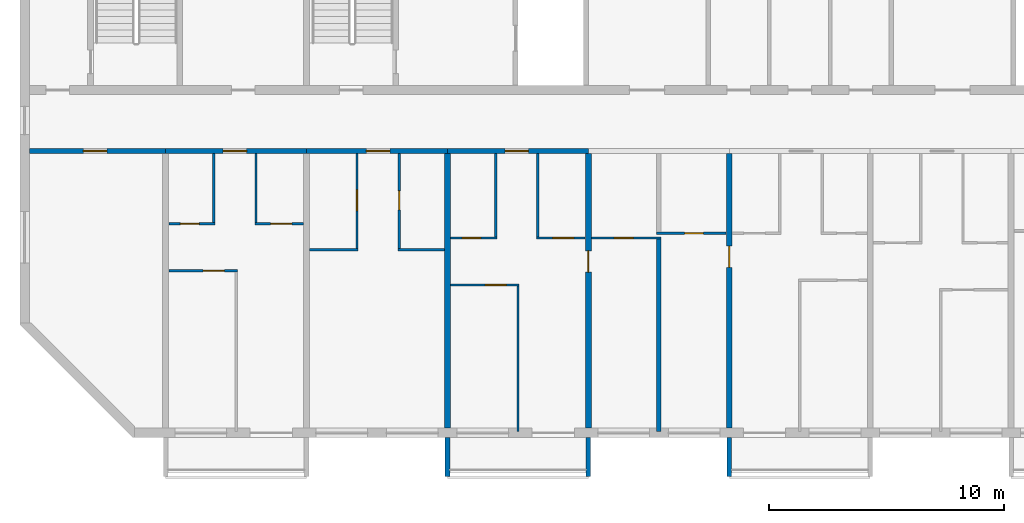
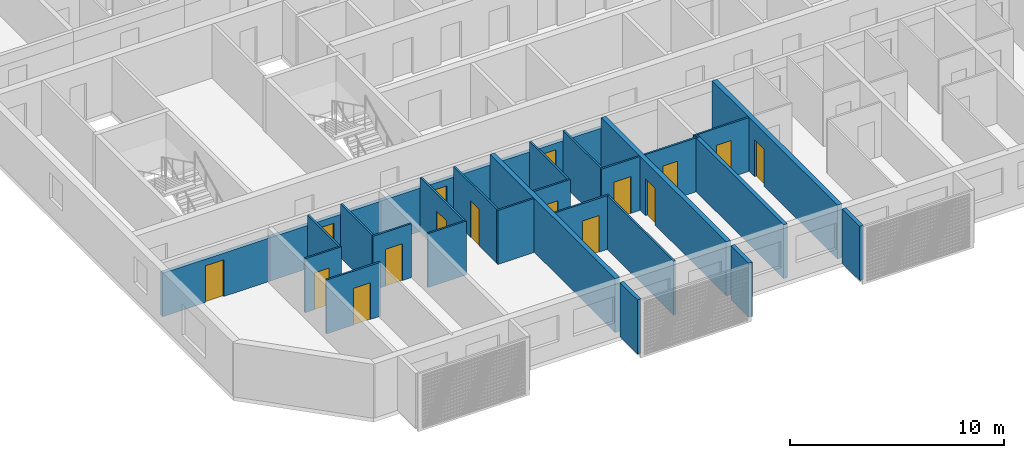
# One storey, part 2 of 27: 28 walls, 16 doors, 16 openings.
"""IFC4 building model written with IfcOpenShell, lengths in metres."""

from ifc_helpers import new_model, si_unit, direction, frame, frame_2d, origin, place, context, subcontext, project, spatial, polyline, rectangle, outline, extrude, source, transform, mapped, material, layer, layer_set, type_object, element, fill, save


model = new_model("IFC4")

# Units and contexts
model_context = context("Model", 3, precision=1e-05, world=origin(), true_north=direction((0.0, 1.0)))
body_context = subcontext(model_context, "Body", "Model", "MODEL_VIEW")
ifc_project = project(units=[si_unit("LENGTHUNIT", "METRE"), si_unit("AREAUNIT", "SQUARE_METRE"), si_unit("VOLUMEUNIT", "CUBIC_METRE"), si_unit("PLANEANGLEUNIT", "RADIAN"), si_unit("MASSUNIT", "GRAM", prefix="KILO")], contexts=[model_context])

# Site, building, storey
site_placement = place(None, origin())
site = spatial("IfcSite", under=ifc_project, at=site_placement, CompositionType="ELEMENT")
building_placement = place(site_placement, origin())
building = spatial("IfcBuilding", under=site, at=building_placement, Name="Poui Terraces", CompositionType="ELEMENT")
storey_placement = place(building_placement, frame((0.0, 0.0, 191.699951171875)))
storey = spatial("IfcBuildingStorey", under=building, at=storey_placement, Name="L53", CompositionType="ELEMENT", Elevation=191.699951171875)

# Wall, opening, door
ifc_material_1 = material(Name="Concrete 50 MPa", Category="concrete")
ifc_layer_1 = layer(ifc_material_1, 0.199951171875)
ifc_layer_set_1 = layer_set([ifc_layer_1], Name="Concrete 50 MPa")
wall_type_1 = type_object("IfcWallType", Name="CORRIDOR WALL 200 50MPa", PredefinedType="SHEAR", material=ifc_layer_set_1)
wall_1_placement = place(storey_placement, frame((18.199951171875, 12.0, 0.0), z_axis=(0.0, 0.0, 1.0), x_axis=(1.0, 0.0, 0.0)))
wall_1 = element("IfcWall", 1, at=wall_1_placement, inside=storey, type_object=wall_type_1, Name="CORRIDOR WALL LINE B BAY 1", PredefinedType="SHEAR", context=body_context, shape_type="SweptSolid", body=[
    extrude(rectangle(XDim=5.800048828125, YDim=0.199951171875, at=frame_2d((2.89990234375, 0.0))), origin(), (0.0, 0.0, 1.0), 2.47998046875),
])
opening_1_placement = place(wall_1_placement, frame((2.300048828125, 0.0, 0.0)))
opening_1 = element("IfcOpeningElement", 2, at=opening_1_placement, cuts=wall_1, Name="Opening D100", PredefinedType="OPENING", context=body_context, shape_type="SweptSolid", body=[
    extrude(rectangle(XDim=1.0, YDim=2.10009765625, at=frame_2d((0.5, 1.050048828125))), frame((0.0, 0.10986328125, 0.0), z_axis=(0.0, -1.0, 0.0), x_axis=(1.0, 0.0, 0.0)), (0.0, 0.0, 1.0), 0.219970703125),
])
ifc_material_2 = material(Name="Solid core timber door", Category="wood")
door_type_1 = type_object("IfcDoorType", Name="ACCESSIBLE INTERNAL DOOR 1000 X 2100", OperationType="NOTDEFINED", PredefinedType="DOOR", material=ifc_material_2)
door_1_placement = place(opening_1_placement, frame((1.0, 0.0, 0.0), z_axis=(0.0, 0.0, 1.0), x_axis=(-1.0, 0.0, 0.0)))
door_1 = element("IfcDoor", 3, at=door_1_placement, inside=storey, type_object=door_type_1, Name="ACCESSIBLE INTERNAL DOOR 063", OperationType="SINGLE_SWING_RIGHT", OverallHeight=2.10009765625, OverallWidth=1.0, PredefinedType="DOOR", context=body_context, shape_type="SweptSolid", body=[
    extrude(rectangle(XDim=1.0, YDim=2.10009765625, at=frame_2d((0.5, 1.050048828125))), frame((0.0, 0.02490234375, 0.0), z_axis=(0.0, -1.0, 0.0), x_axis=(1.0, 0.0, 0.0)), (0.0, 0.0, 1.0), 0.050048828125),
])
fill(opening_1, door_1)

wall_2_placement = place(storey_placement, frame((24.0, 12.0, 0.0), z_axis=(0.0, 0.0, 1.0), x_axis=(1.0, 0.0, 0.0)))
wall_2 = element("IfcWall", 4, at=wall_2_placement, inside=storey, type_object=wall_type_1, Name="CORRIDOR WALL LINE B BAY 2", PredefinedType="SHEAR", context=body_context, shape_type="SweptSolid", body=[
    extrude(rectangle(XDim=6.0, YDim=0.199951171875, at=frame_2d((3.0, 0.0))), origin(), (0.0, 0.0, 1.0), 2.47998046875),
])
opening_2_placement = place(wall_2_placement, frame((2.449951171875, 0.0, 0.0)))
opening_2 = element("IfcOpeningElement", 5, at=opening_2_placement, cuts=wall_2, Name="Opening FD30S", PredefinedType="OPENING", context=body_context, shape_type="SweptSolid", body=[
    extrude(rectangle(XDim=1.0, YDim=2.10009765625, at=frame_2d((0.5, 1.050048828125))), frame((0.0, 0.10986328125, 0.0), z_axis=(0.0, -1.0, 0.0), x_axis=(1.0, 0.0, 0.0)), (0.0, 0.0, 1.0), 0.219970703125),
])
ifc_material_3 = material(Name="Steel fire door", Category="steel")
door_type_2 = type_object("IfcDoorType", Name="FLAT ENTRANCE DOOR 1000 X 2100", OperationType="NOTDEFINED", PredefinedType="DOOR", material=ifc_material_3)
door_2_placement = place(opening_2_placement, frame((1.0, 0.0, 0.0), z_axis=(0.0, 0.0, 1.0), x_axis=(-1.0, 0.0, 0.0)))
door_2 = element("IfcDoor", 6, at=door_2_placement, inside=storey, type_object=door_type_2, Name="FLAT ENTRANCE DOOR 066", OperationType="SINGLE_SWING_RIGHT", OverallHeight=2.10009765625, OverallWidth=1.0, PredefinedType="DOOR", context=body_context, shape_type="SweptSolid", body=[
    extrude(rectangle(XDim=1.0, YDim=2.10009765625, at=frame_2d((0.5, 1.050048828125))), frame((0.0, 0.02490234375, 0.0), z_axis=(0.0, -1.0, 0.0), x_axis=(1.0, 0.0, 0.0)), (0.0, 0.0, 1.0), 0.050048828125),
])
fill(opening_2, door_2)

wall_3_placement = place(storey_placement, frame((30.0, 12.0, 0.0), z_axis=(0.0, 0.0, 1.0), x_axis=(1.0, 0.0, 0.0)))
wall_3 = element("IfcWall", 7, at=wall_3_placement, inside=storey, type_object=wall_type_1, Name="CORRIDOR WALL LINE B BAY 3", PredefinedType="SHEAR", context=body_context, shape_type="SweptSolid", body=[
    extrude(rectangle(XDim=6.0, YDim=0.199951171875, at=frame_2d((3.0, 0.0))), origin(), (0.0, 0.0, 1.0), 2.47998046875),
])
opening_3_placement = place(wall_3_placement, frame((2.550048828125, 0.0, 0.0)))
opening_3 = element("IfcOpeningElement", 8, at=opening_3_placement, cuts=wall_3, Name="Opening FD30S", PredefinedType="OPENING", context=body_context, shape_type="SweptSolid", body=[
    extrude(rectangle(XDim=1.0, YDim=2.10009765625, at=frame_2d((0.5, 1.050048828125))), frame((0.0, 0.10986328125, 0.0), z_axis=(0.0, -1.0, 0.0), x_axis=(1.0, 0.0, 0.0)), (0.0, 0.0, 1.0), 0.219970703125),
])
door_3_placement = place(opening_3_placement, frame((1.0, 0.0, 0.0), z_axis=(0.0, 0.0, 1.0), x_axis=(-1.0, 0.0, 0.0)))
door_3 = element("IfcDoor", 9, at=door_3_placement, inside=storey, type_object=door_type_2, Name="FLAT ENTRANCE DOOR 069", OperationType="SINGLE_SWING_LEFT", OverallHeight=2.10009765625, OverallWidth=1.0, PredefinedType="DOOR", context=body_context, shape_type="SweptSolid", body=[
    extrude(rectangle(XDim=1.0, YDim=2.10009765625, at=frame_2d((0.5, 1.050048828125))), frame((0.0, 0.02490234375, 0.0), z_axis=(0.0, -1.0, 0.0), x_axis=(1.0, 0.0, 0.0)), (0.0, 0.0, 1.0), 0.050048828125),
])
fill(opening_3, door_3)

wall_4_placement = place(storey_placement, frame((36.0, 12.0, 0.0), z_axis=(0.0, 0.0, 1.0), x_axis=(1.0, 0.0, 0.0)))
wall_4 = element("IfcWall", 10, at=wall_4_placement, inside=storey, type_object=wall_type_1, Name="CORRIDOR WALL LINE B BAY 4", PredefinedType="SHEAR", context=body_context, shape_type="SweptSolid", body=[
    extrude(rectangle(XDim=6.0, YDim=0.199951171875, at=frame_2d((3.0, 0.0))), origin(), (0.0, 0.0, 1.0), 2.47998046875),
])
opening_4_placement = place(wall_4_placement, frame((2.449951171875, 0.0, 0.0)))
opening_4 = element("IfcOpeningElement", 11, at=opening_4_placement, cuts=wall_4, Name="Opening FD30S", PredefinedType="OPENING", context=body_context, shape_type="SweptSolid", body=[
    extrude(rectangle(XDim=1.0, YDim=2.10009765625, at=frame_2d((0.5, 1.050048828125))), frame((0.0, 0.10986328125, 0.0), z_axis=(0.0, -1.0, 0.0), x_axis=(1.0, 0.0, 0.0)), (0.0, 0.0, 1.0), 0.219970703125),
])
door_4_placement = place(opening_4_placement, frame((1.0, 0.0, 0.0), z_axis=(0.0, 0.0, 1.0), x_axis=(-1.0, 0.0, 0.0)))
door_4 = element("IfcDoor", 12, at=door_4_placement, inside=storey, type_object=door_type_2, Name="FLAT ENTRANCE DOOR 074", OperationType="SINGLE_SWING_RIGHT", OverallHeight=2.10009765625, OverallWidth=1.0, PredefinedType="DOOR", context=body_context, shape_type="SweptSolid", body=[
    extrude(rectangle(XDim=1.0, YDim=2.10009765625, at=frame_2d((0.5, 1.050048828125))), frame((0.0, 0.02490234375, 0.0), z_axis=(0.0, -1.0, 0.0), x_axis=(1.0, 0.0, 0.0)), (0.0, 0.0, 1.0), 0.050048828125),
])
fill(opening_4, door_4)

# Wall
ifc_layer_2 = layer(ifc_material_1, 0.25)
ifc_layer_set_2 = layer_set([ifc_layer_2], Name="Concrete 50 MPa")
wall_type_2 = type_object("IfcWallType", Name="CROSS WALL 250 50MPa", PredefinedType="SHEAR", material=ifc_layer_set_2)
wall_5_placement = place(storey_placement, frame((36.0, 0.199951171875, 0.0), z_axis=(0.0, 0.0, 1.0), x_axis=(0.0, 1.0, 0.0)))
element("IfcWall", 13, at=wall_5_placement, inside=storey, type_object=wall_type_2, Name="CROSS WALL LINE 7 SOUTH", PredefinedType="SHEAR", context=body_context, shape_type="SweptSolid", body=[
    extrude(rectangle(XDim=11.699951171875, YDim=0.25, at=frame_2d((5.85009765625, 0.0))), origin(), (0.0, 0.0, 1.0), 3.080078125),
])

# Wall, opening, door
wall_6_placement = place(storey_placement, frame((42.0, 0.199951171875, 0.0), z_axis=(0.0, 0.0, 1.0), x_axis=(0.0, 1.0, 0.0)))
wall_6 = element("IfcWall", 14, at=wall_6_placement, inside=storey, type_object=wall_type_2, Name="CROSS WALL LINE 8 SOUTH", PredefinedType="SHEAR", context=body_context, shape_type="SweptSolid", body=[
    extrude(rectangle(XDim=11.699951171875, YDim=0.25, at=frame_2d((5.85009765625, 0.0))), origin(), (0.0, 0.0, 1.0), 3.080078125),
])
opening_5_placement = place(wall_6_placement, frame((6.64990234375, 0.0, 0.0)))
opening_5 = element("IfcOpeningElement", 15, at=opening_5_placement, cuts=wall_6, Name="Opening D90", PredefinedType="OPENING", context=body_context, shape_type="SweptSolid", body=[
    extrude(rectangle(XDim=0.89990234375, YDim=2.10009765625, at=frame_2d((0.449951171875, 1.050048828125))), frame((0.0, 0.135009765625, 0.0), z_axis=(0.0, -1.0, 0.0), x_axis=(1.0, 0.0, 0.0)), (0.0, 0.0, 1.0), 0.27001953125),
])
door_type_3 = type_object("IfcDoorType", Name="INTERNAL DOOR 900 X 2100", OperationType="NOTDEFINED", PredefinedType="DOOR", material=ifc_material_2)
door_5_placement = place(opening_5_placement, frame((0.89990234375, 0.0, 0.0), z_axis=(0.0, 0.0, 1.0), x_axis=(-1.0, 0.0, 0.0)))
door_5 = element("IfcDoor", 16, at=door_5_placement, inside=storey, type_object=door_type_3, Name="INTERNAL DOOR 076", OperationType="SINGLE_SWING_LEFT", OverallHeight=2.10009765625, OverallWidth=0.89990234375, PredefinedType="DOOR", context=body_context, shape_type="SweptSolid", body=[
    extrude(rectangle(XDim=0.89990234375, YDim=2.10009765625, at=frame_2d((0.449951171875, 1.050048828125))), frame((0.0, 0.02490234375, 0.0), z_axis=(0.0, -1.0, 0.0), x_axis=(1.0, 0.0, 0.0)), (0.0, 0.0, 1.0), 0.050048828125),
])
fill(opening_5, door_5)

wall_7_placement = place(storey_placement, frame((48.0, 0.199951171875, 0.0), z_axis=(0.0, 0.0, 1.0), x_axis=(0.0, 1.0, 0.0)))
wall_7 = element("IfcWall", 17, at=wall_7_placement, inside=storey, type_object=wall_type_2, Name="CROSS WALL LINE 9 SOUTH", PredefinedType="SHEAR", context=body_context, shape_type="SweptSolid", body=[
    extrude(rectangle(XDim=11.699951171875, YDim=0.25, at=frame_2d((5.85009765625, 0.0))), origin(), (0.0, 0.0, 1.0), 3.080078125),
])
opening_6_placement = place(wall_7_placement, frame((6.85009765625, 0.0, 0.0)))
opening_6 = element("IfcOpeningElement", 18, at=opening_6_placement, cuts=wall_7, Name="Opening D90", PredefinedType="OPENING", context=body_context, shape_type="SweptSolid", body=[
    extrude(rectangle(XDim=0.89990234375, YDim=2.10009765625, at=frame_2d((0.449951171875, 1.050048828125))), frame((0.0, 0.135009765625, 0.0), z_axis=(0.0, -1.0, 0.0), x_axis=(1.0, 0.0, 0.0)), (0.0, 0.0, 1.0), 0.27001953125),
])
door_6_placement = place(opening_6_placement, origin())
door_6 = element("IfcDoor", 19, at=door_6_placement, inside=storey, type_object=door_type_3, Name="INTERNAL DOOR 078", OperationType="SINGLE_SWING_RIGHT", OverallHeight=2.10009765625, OverallWidth=0.89990234375, PredefinedType="DOOR", context=body_context, shape_type="SweptSolid", body=[
    extrude(rectangle(XDim=0.89990234375, YDim=2.10009765625, at=frame_2d((0.449951171875, 1.050048828125))), frame((0.0, 0.02490234375, 0.0), z_axis=(0.0, -1.0, 0.0), x_axis=(1.0, 0.0, 0.0)), (0.0, 0.0, 1.0), 0.050048828125),
])
fill(opening_6, door_6)

ifc_material_4 = material(Name="Plasterboard partition")
ifc_layer_3 = layer(ifc_material_4, 0.10009765625)
ifc_layer_set_3 = layer_set([ifc_layer_3], Name="Plasterboard partition")
wall_type_3 = type_object("IfcWallType", Name="FLAT PARTITION 100", PredefinedType="PARTITIONING", material=ifc_layer_set_3)
wall_8_placement = place(storey_placement, frame((36.135009765625, 6.300048828125, 0.0), z_axis=(0.0, 0.0, 1.0), x_axis=(1.0, 0.0, 0.0)))
wall_8 = element("IfcWall", 20, at=wall_8_placement, inside=storey, type_object=wall_type_3, Name="FLAT PARTITION 100", PredefinedType="PARTITIONING", context=body_context, shape_type="SweptSolid", body=[
    extrude(rectangle(XDim=2.9150390625, YDim=0.10009765625, at=frame_2d((1.45751953125, 0.0))), origin(), (0.0, 0.0, 1.0), 3.080078125),
])
opening_7_placement = place(wall_8_placement, frame((1.465087890625, 0.0, 0.0)))
opening_7 = element("IfcOpeningElement", 21, at=opening_7_placement, cuts=wall_8, Name="Opening D90", PredefinedType="OPENING", context=body_context, shape_type="SweptSolid", body=[
    extrude(rectangle(XDim=0.89990234375, YDim=2.10009765625, at=frame_2d((0.449951171875, 1.050048828125))), frame((0.0, 0.06005859375, 0.0), z_axis=(0.0, -1.0, 0.0), x_axis=(1.0, 0.0, 0.0)), (0.0, 0.0, 1.0), 0.1201171875),
])
door_7_placement = place(opening_7_placement, origin())
door_7 = element("IfcDoor", 22, at=door_7_placement, inside=storey, type_object=door_type_3, Name="INTERNAL DOOR 073", OperationType="SINGLE_SWING_LEFT", OverallHeight=2.10009765625, OverallWidth=0.89990234375, PredefinedType="DOOR", context=body_context, shape_type="SweptSolid", body=[
    extrude(rectangle(XDim=0.89990234375, YDim=2.10009765625, at=frame_2d((0.449951171875, 1.050048828125))), frame((0.0, 0.02490234375, 0.0), z_axis=(0.0, -1.0, 0.0), x_axis=(1.0, 0.0, 0.0)), (0.0, 0.0, 1.0), 0.050048828125),
])
fill(opening_7, door_7)

wall_9_placement = place(storey_placement, frame((24.135009765625, 6.89990234375, 0.0), z_axis=(0.0, 0.0, 1.0), x_axis=(1.0, 0.0, 0.0)))
wall_9 = element("IfcWall", 23, at=wall_9_placement, inside=storey, type_object=wall_type_3, Name="FLAT PARTITION 100", PredefinedType="PARTITIONING", context=body_context, shape_type="SweptSolid", body=[
    extrude(rectangle(XDim=2.9150390625, YDim=0.10009765625, at=frame_2d((1.45751953125, 0.0))), origin(), (0.0, 0.0, 1.0), 3.080078125),
])
opening_8_placement = place(wall_9_placement, frame((1.465087890625, 0.0, 0.0)))
opening_8 = element("IfcOpeningElement", 24, at=opening_8_placement, cuts=wall_9, Name="Opening D90", PredefinedType="OPENING", context=body_context, shape_type="SweptSolid", body=[
    extrude(rectangle(XDim=0.89990234375, YDim=2.10009765625, at=frame_2d((0.449951171875, 1.050048828125))), frame((0.0, 0.06005859375, 0.0), z_axis=(0.0, -1.0, 0.0), x_axis=(1.0, 0.0, 0.0)), (0.0, 0.0, 1.0), 0.1201171875),
])
door_8_placement = place(opening_8_placement, origin())
door_8 = element("IfcDoor", 25, at=door_8_placement, inside=storey, type_object=door_type_3, Name="INTERNAL DOOR 065", OperationType="SINGLE_SWING_LEFT", OverallHeight=2.10009765625, OverallWidth=0.89990234375, PredefinedType="DOOR", context=body_context, shape_type="SweptSolid", body=[
    extrude(rectangle(XDim=0.89990234375, YDim=2.10009765625, at=frame_2d((0.449951171875, 1.050048828125))), frame((0.0, 0.02490234375, 0.0), z_axis=(0.0, -1.0, 0.0), x_axis=(1.0, 0.0, 0.0)), (0.0, 0.0, 1.0), 0.050048828125),
])
fill(opening_8, door_8)

# Walls
wall_10_placement = place(storey_placement, frame((30.135009765625, 7.800048828125, 0.0), z_axis=(0.0, 0.0, 1.0), x_axis=(1.0, 0.0, 0.0)))
element("IfcWall", 26, at=wall_10_placement, inside=storey, type_object=wall_type_3, Name="FLAT PARTITION 100", PredefinedType="PARTITIONING", context=body_context, shape_type="SweptSolid", body=[
    extrude(rectangle(XDim=2.06494140625, YDim=0.10009765625, at=frame_2d((1.032470703125, 0.0))), origin(), (0.0, 0.0, 1.0), 3.080078125),
])
wall_11_placement = place(storey_placement, frame((33.89990234375, 7.800048828125, 0.0), z_axis=(0.0, 0.0, 1.0), x_axis=(1.0, 0.0, 0.0)))
element("IfcWall", 27, at=wall_11_placement, inside=storey, type_object=wall_type_3, Name="FLAT PARTITION 100", PredefinedType="PARTITIONING", context=body_context, shape_type="SweptSolid", body=[
    extrude(rectangle(XDim=1.965087890625, YDim=0.10009765625, at=frame_2d((0.982421875, 0.0))), origin(), (0.0, 0.0, 1.0), 3.080078125),
])

# Wall, opening, door
wall_12_placement = place(storey_placement, frame((36.135009765625, 8.300048828125, 0.0), z_axis=(0.0, 0.0, 1.0), x_axis=(1.0, 0.0, 0.0)))
wall_12 = element("IfcWall", 28, at=wall_12_placement, inside=storey, type_object=wall_type_3, Name="FLAT PARTITION 100", PredefinedType="PARTITIONING", context=body_context, shape_type="SweptSolid", body=[
    extrude(rectangle(XDim=1.965087890625, YDim=0.10009765625, at=frame_2d((0.982421875, 0.0))), origin(), (0.0, 0.0, 1.0), 3.080078125),
])
opening_9_placement = place(wall_12_placement, frame((0.489990234375, 0.0, 0.0)))
opening_9 = element("IfcOpeningElement", 29, at=opening_9_placement, cuts=wall_12, Name="Opening D80", PredefinedType="OPENING", context=body_context, shape_type="SweptSolid", body=[
    extrude(rectangle(XDim=0.800048828125, YDim=2.10009765625, at=frame_2d((0.39990234375, 1.050048828125))), frame((0.0, 0.06005859375, 0.0), z_axis=(0.0, -1.0, 0.0), x_axis=(1.0, 0.0, 0.0)), (0.0, 0.0, 1.0), 0.1201171875),
])
door_type_4 = type_object("IfcDoorType", Name="BATHROOM, LAUNDRY AND STORE DOOR 800 X 2100", OperationType="NOTDEFINED", PredefinedType="DOOR", material=ifc_material_2)
door_9_placement = place(opening_9_placement, origin())
door_9 = element("IfcDoor", 30, at=door_9_placement, inside=storey, type_object=door_type_4, Name="BATHROOM, LAUNDRY AND STORE DOOR 072", OperationType="SINGLE_SWING_RIGHT", OverallHeight=2.10009765625, OverallWidth=0.800048828125, PredefinedType="DOOR", context=body_context, shape_type="SweptSolid", body=[
    extrude(rectangle(XDim=0.800048828125, YDim=2.10009765625, at=frame_2d((0.39990234375, 1.050048828125))), frame((0.0, 0.02490234375, 0.0), z_axis=(0.0, -1.0, 0.0), x_axis=(1.0, 0.0, 0.0)), (0.0, 0.0, 1.0), 0.050048828125),
])
fill(opening_9, door_9)

wall_13_placement = place(storey_placement, frame((39.800048828125, 8.300048828125, 0.0), z_axis=(0.0, 0.0, 1.0), x_axis=(1.0, 0.0, 0.0)))
wall_13 = element("IfcWall", 31, at=wall_13_placement, inside=storey, type_object=wall_type_3, Name="FLAT PARTITION 100", PredefinedType="PARTITIONING", context=body_context, shape_type="SweptSolid", body=[
    extrude(rectangle(XDim=2.06494140625, YDim=0.10009765625, at=frame_2d((1.032470703125, 0.0))), origin(), (0.0, 0.0, 1.0), 3.080078125),
])
opening_10_placement = place(wall_13_placement, frame((0.675048828125, 0.0, 0.0)))
opening_10 = element("IfcOpeningElement", 32, at=opening_10_placement, cuts=wall_13, Name="Opening D90", PredefinedType="OPENING", context=body_context, shape_type="SweptSolid", body=[
    extrude(rectangle(XDim=0.89990234375, YDim=2.10009765625, at=frame_2d((0.449951171875, 1.050048828125))), frame((0.0, 0.06005859375, 0.0), z_axis=(0.0, -1.0, 0.0), x_axis=(1.0, 0.0, 0.0)), (0.0, 0.0, 1.0), 0.1201171875),
])
door_10_placement = place(opening_10_placement, origin())
door_10 = element("IfcDoor", 33, at=door_10_placement, inside=storey, type_object=door_type_3, Name="INTERNAL DOOR 075", OperationType="SINGLE_SWING_LEFT", OverallHeight=2.10009765625, OverallWidth=0.89990234375, PredefinedType="DOOR", context=body_context, shape_type="SweptSolid", body=[
    extrude(rectangle(XDim=0.89990234375, YDim=2.10009765625, at=frame_2d((0.449951171875, 1.050048828125))), frame((0.0, 0.02490234375, 0.0), z_axis=(0.0, -1.0, 0.0), x_axis=(1.0, 0.0, 0.0)), (0.0, 0.0, 1.0), 0.050048828125),
])
fill(opening_10, door_10)

wall_14_placement = place(storey_placement, frame((42.135009765625, 8.300048828125, 0.0), z_axis=(0.0, 0.0, 1.0), x_axis=(1.0, 0.0, 0.0)))
wall_14 = element("IfcWall", 34, at=wall_14_placement, inside=storey, type_object=wall_type_3, Name="FLAT PARTITION 100", PredefinedType="PARTITIONING", context=body_context, shape_type="SweptSolid", body=[
    extrude(rectangle(XDim=2.965087890625, YDim=0.10009765625, at=frame_2d((1.482421875, 0.0))), origin(), (0.0, 0.0, 1.0), 3.080078125),
])
opening_11_placement = place(wall_14_placement, frame((0.965087890625, 0.0, 0.0)))
opening_11 = element("IfcOpeningElement", 35, at=opening_11_placement, cuts=wall_14, Name="Opening D80", PredefinedType="OPENING", context=body_context, shape_type="SweptSolid", body=[
    extrude(rectangle(XDim=0.800048828125, YDim=2.10009765625, at=frame_2d((0.39990234375, 1.050048828125))), frame((0.0, 0.06005859375, 0.0), z_axis=(0.0, -1.0, 0.0), x_axis=(1.0, 0.0, 0.0)), (0.0, 0.0, 1.0), 0.1201171875),
])
door_11_placement = place(opening_11_placement, origin())
door_11 = element("IfcDoor", 36, at=door_11_placement, inside=storey, type_object=door_type_4, Name="BATHROOM, LAUNDRY AND STORE DOOR 071", OperationType="SINGLE_SWING_RIGHT", OverallHeight=2.10009765625, OverallWidth=0.800048828125, PredefinedType="DOOR", context=body_context, shape_type="SweptSolid", body=[
    extrude(rectangle(XDim=0.800048828125, YDim=2.10009765625, at=frame_2d((0.39990234375, 1.050048828125))), frame((0.0, 0.02490234375, 0.0), z_axis=(0.0, -1.0, 0.0), x_axis=(1.0, 0.0, 0.0)), (0.0, 0.0, 1.0), 0.050048828125),
])
fill(opening_11, door_11)

wall_15_placement = place(storey_placement, frame((44.89990234375, 8.5, 0.0), z_axis=(0.0, 0.0, 1.0), x_axis=(1.0, 0.0, 0.0)))
wall_15 = element("IfcWall", 37, at=wall_15_placement, inside=storey, type_object=wall_type_3, Name="FLAT PARTITION 100", PredefinedType="PARTITIONING", context=body_context, shape_type="SweptSolid", body=[
    extrude(rectangle(XDim=2.965087890625, YDim=0.10009765625, at=frame_2d((1.482421875, 0.0))), origin(), (0.0, 0.0, 1.0), 3.080078125),
])
opening_12_placement = place(wall_15_placement, frame((1.199951171875, 0.0, 0.0)))
opening_12 = element("IfcOpeningElement", 38, at=opening_12_placement, cuts=wall_15, Name="Opening D80", PredefinedType="OPENING", context=body_context, shape_type="SweptSolid", body=[
    extrude(rectangle(XDim=0.800048828125, YDim=2.10009765625, at=frame_2d((0.39990234375, 1.050048828125))), frame((0.0, 0.06005859375, 0.0), z_axis=(0.0, -1.0, 0.0), x_axis=(1.0, 0.0, 0.0)), (0.0, 0.0, 1.0), 0.1201171875),
])
door_12_placement = place(opening_12_placement, origin())
door_12 = element("IfcDoor", 39, at=door_12_placement, inside=storey, type_object=door_type_4, Name="BATHROOM, LAUNDRY AND STORE DOOR 077", OperationType="SINGLE_SWING_LEFT", OverallHeight=2.10009765625, OverallWidth=0.800048828125, PredefinedType="DOOR", context=body_context, shape_type="SweptSolid", body=[
    extrude(rectangle(XDim=0.800048828125, YDim=2.10009765625, at=frame_2d((0.39990234375, 1.050048828125))), frame((0.0, 0.02490234375, 0.0), z_axis=(0.0, -1.0, 0.0), x_axis=(1.0, 0.0, 0.0)), (0.0, 0.0, 1.0), 0.050048828125),
])
fill(opening_12, door_12)

wall_16_placement = place(storey_placement, frame((24.135009765625, 8.89990234375, 0.0), z_axis=(0.0, 0.0, 1.0), x_axis=(1.0, 0.0, 0.0)))
wall_16 = element("IfcWall", 40, at=wall_16_placement, inside=storey, type_object=wall_type_3, Name="FLAT PARTITION 100", PredefinedType="PARTITIONING", context=body_context, shape_type="SweptSolid", body=[
    extrude(rectangle(XDim=1.965087890625, YDim=0.10009765625, at=frame_2d((0.982421875, 0.0))), origin(), (0.0, 0.0, 1.0), 3.080078125),
])
opening_13_placement = place(wall_16_placement, frame((0.489990234375, 0.0, 0.0)))
opening_13 = element("IfcOpeningElement", 41, at=opening_13_placement, cuts=wall_16, Name="Opening D80", PredefinedType="OPENING", context=body_context, shape_type="SweptSolid", body=[
    extrude(rectangle(XDim=0.800048828125, YDim=2.10009765625, at=frame_2d((0.39990234375, 1.050048828125))), frame((0.0, 0.06005859375, 0.0), z_axis=(0.0, -1.0, 0.0), x_axis=(1.0, 0.0, 0.0)), (0.0, 0.0, 1.0), 0.1201171875),
])
door_13_placement = place(opening_13_placement, origin())
door_13 = element("IfcDoor", 42, at=door_13_placement, inside=storey, type_object=door_type_4, Name="BATHROOM, LAUNDRY AND STORE DOOR 064", OperationType="SINGLE_SWING_RIGHT", OverallHeight=2.10009765625, OverallWidth=0.800048828125, PredefinedType="DOOR", context=body_context, shape_type="SweptSolid", body=[
    extrude(rectangle(XDim=0.800048828125, YDim=2.10009765625, at=frame_2d((0.39990234375, 1.050048828125))), frame((0.0, 0.02490234375, 0.0), z_axis=(0.0, -1.0, 0.0), x_axis=(1.0, 0.0, 0.0)), (0.0, 0.0, 1.0), 0.050048828125),
])
fill(opening_13, door_13)

wall_17_placement = place(storey_placement, frame((27.800048828125, 8.89990234375, 0.0), z_axis=(0.0, 0.0, 1.0), x_axis=(1.0, 0.0, 0.0)))
wall_17 = element("IfcWall", 43, at=wall_17_placement, inside=storey, type_object=wall_type_3, Name="FLAT PARTITION 100", PredefinedType="PARTITIONING", context=body_context, shape_type="SweptSolid", body=[
    extrude(rectangle(XDim=2.06494140625, YDim=0.10009765625, at=frame_2d((1.032470703125, 0.0))), origin(), (0.0, 0.0, 1.0), 3.080078125),
])
opening_14_placement = place(wall_17_placement, frame((0.675048828125, 0.0, 0.0)))
opening_14 = element("IfcOpeningElement", 44, at=opening_14_placement, cuts=wall_17, Name="Opening D90", PredefinedType="OPENING", context=body_context, shape_type="SweptSolid", body=[
    extrude(rectangle(XDim=0.89990234375, YDim=2.10009765625, at=frame_2d((0.449951171875, 1.050048828125))), frame((0.0, 0.06005859375, 0.0), z_axis=(0.0, -1.0, 0.0), x_axis=(1.0, 0.0, 0.0)), (0.0, 0.0, 1.0), 0.1201171875),
])
door_14_placement = place(opening_14_placement, origin())
door_14 = element("IfcDoor", 45, at=door_14_placement, inside=storey, type_object=door_type_3, Name="INTERNAL DOOR 067", OperationType="SINGLE_SWING_LEFT", OverallHeight=2.10009765625, OverallWidth=0.89990234375, PredefinedType="DOOR", context=body_context, shape_type="SweptSolid", body=[
    extrude(rectangle(XDim=0.89990234375, YDim=2.10009765625, at=frame_2d((0.449951171875, 1.050048828125))), frame((0.0, 0.02490234375, 0.0), z_axis=(0.0, -1.0, 0.0), x_axis=(1.0, 0.0, 0.0)), (0.0, 0.0, 1.0), 0.050048828125),
])
fill(opening_14, door_14)

# Walls
for number, where, z_axis, x_axis, name in (
    (46, (26.050048828125, 8.949951171875, 0.0), (0.0, 0.0, 1.0), (0.0, 1.0, 0.0), "FLAT PARTITION 100"),
    (47, (27.85009765625, 8.949951171875, 0.0), (0.0, 0.0, 1.0), (0.0, 1.0, 0.0), "FLAT PARTITION 100"),
):
    element("IfcWall", number, at=place(storey_placement, frame(where, z_axis=z_axis, x_axis=x_axis)), inside=storey, type_object=wall_type_3, Name=name, PredefinedType="PARTITIONING", context=body_context, shape_type="SweptSolid", body=[
        extrude(rectangle(XDim=2.93994140625, YDim=0.10009765625, at=frame_2d((1.469970703125, 0.0))), origin(), (0.0, 0.0, 1.0), 3.080078125),
    ])

# Wall, opening, door
wall_18_placement = place(storey_placement, frame((32.14990234375, 7.85009765625, 0.0), z_axis=(0.0, 0.0, 1.0), x_axis=(0.0, 1.0, 0.0)))
wall_18 = element("IfcWall", 48, at=wall_18_placement, inside=storey, type_object=wall_type_3, Name="FLAT PARTITION 100", PredefinedType="PARTITIONING", context=body_context, shape_type="SweptSolid", body=[
    extrude(rectangle(XDim=4.039794921875, YDim=0.10009765625, at=frame_2d((2.02001953125, 0.0))), origin(), (0.0, 0.0, 1.0), 3.080078125),
])
opening_15_placement = place(wall_18_placement, frame((1.60009765625, 0.0, 0.0)))
opening_15 = element("IfcOpeningElement", 49, at=opening_15_placement, cuts=wall_18, Name="Opening D90", PredefinedType="OPENING", context=body_context, shape_type="SweptSolid", body=[
    extrude(rectangle(XDim=0.89990234375, YDim=2.10009765625, at=frame_2d((0.449951171875, 1.050048828125))), frame((0.0, 0.06005859375, 0.0), z_axis=(0.0, -1.0, 0.0), x_axis=(1.0, 0.0, 0.0)), (0.0, 0.0, 1.0), 0.1201171875),
])
door_15_placement = place(opening_15_placement, origin())
door_15 = element("IfcDoor", 50, at=door_15_placement, inside=storey, type_object=door_type_3, Name="INTERNAL DOOR 068", OperationType="SINGLE_SWING_RIGHT", OverallHeight=2.10009765625, OverallWidth=0.89990234375, PredefinedType="DOOR", context=body_context, shape_type="SweptSolid", body=[
    extrude(rectangle(XDim=0.89990234375, YDim=2.10009765625, at=frame_2d((0.449951171875, 1.050048828125))), frame((0.0, 0.02490234375, 0.0), z_axis=(0.0, -1.0, 0.0), x_axis=(1.0, 0.0, 0.0)), (0.0, 0.0, 1.0), 0.050048828125),
])
fill(opening_15, door_15)

wall_19_placement = place(storey_placement, frame((33.949951171875, 7.85009765625, 0.0), z_axis=(0.0, 0.0, 1.0), x_axis=(0.0, 1.0, 0.0)))
wall_19 = element("IfcWall", 51, at=wall_19_placement, inside=storey, type_object=wall_type_3, Name="FLAT PARTITION 100", PredefinedType="PARTITIONING", context=body_context, shape_type="SweptSolid", body=[
    extrude(rectangle(XDim=4.039794921875, YDim=0.10009765625, at=frame_2d((2.02001953125, 0.0))), origin(), (0.0, 0.0, 1.0), 3.080078125),
])
opening_16_placement = place(wall_19_placement, frame((1.64990234375, 0.0, 0.0)))
opening_16 = element("IfcOpeningElement", 52, at=opening_16_placement, cuts=wall_19, Name="Opening D80", PredefinedType="OPENING", context=body_context, shape_type="SweptSolid", body=[
    extrude(rectangle(XDim=0.800048828125, YDim=2.10009765625, at=frame_2d((0.39990234375, 1.050048828125))), frame((0.0, 0.06005859375, 0.0), z_axis=(0.0, -1.0, 0.0), x_axis=(1.0, 0.0, 0.0)), (0.0, 0.0, 1.0), 0.1201171875),
])
door_16_placement = place(opening_16_placement, frame((0.800048828125, 0.0, 0.0), z_axis=(0.0, 0.0, 1.0), x_axis=(-1.0, 0.0, 0.0)))
door_16 = element("IfcDoor", 53, at=door_16_placement, inside=storey, type_object=door_type_4, Name="BATHROOM, LAUNDRY AND STORE DOOR 070", OperationType="SINGLE_SWING_RIGHT", OverallHeight=2.10009765625, OverallWidth=0.800048828125, PredefinedType="DOOR", context=body_context, shape_type="SweptSolid", body=[
    extrude(rectangle(XDim=0.800048828125, YDim=2.10009765625, at=frame_2d((0.39990234375, 1.050048828125))), frame((0.0, 0.02490234375, 0.0), z_axis=(0.0, -1.0, 0.0), x_axis=(1.0, 0.0, 0.0)), (0.0, 0.0, 1.0), 0.050048828125),
])
fill(opening_16, door_16)

# Walls
wall_20_placement = place(storey_placement, frame((38.050048828125, 8.35009765625, 0.0), z_axis=(0.0, 0.0, 1.0), x_axis=(0.0, 1.0, 0.0)))
element("IfcWall", 54, at=wall_20_placement, inside=storey, type_object=wall_type_3, Name="FLAT PARTITION 100", PredefinedType="PARTITIONING", context=body_context, shape_type="SweptSolid", body=[
    extrude(rectangle(XDim=3.539794921875, YDim=0.10009765625, at=frame_2d((1.77001953125, 0.0))), origin(), (0.0, 0.0, 1.0), 3.080078125),
])
wall_21_placement = place(storey_placement, frame((39.0, 0.06005859375, 0.0), z_axis=(0.0, 0.0, 1.0), x_axis=(0.0, 1.0, 0.0)))
element("IfcWall", 55, at=wall_21_placement, inside=storey, type_object=wall_type_3, Name="FLAT PARTITION 100", PredefinedType="PARTITIONING", context=body_context, shape_type="SweptSolid", body=[
    extrude(rectangle(XDim=6.18994140625, YDim=0.10009765625, at=frame_2d((3.094970703125, 0.0))), origin(), (0.0, 0.0, 1.0), 3.080078125),
])
wall_22_placement = place(storey_placement, frame((39.85009765625, 8.35009765625, 0.0), z_axis=(0.0, 0.0, 1.0), x_axis=(0.0, 1.0, 0.0)))
element("IfcWall", 56, at=wall_22_placement, inside=storey, type_object=wall_type_3, Name="FLAT PARTITION 100", PredefinedType="PARTITIONING", context=body_context, shape_type="SweptSolid", body=[
    extrude(rectangle(XDim=3.539794921875, YDim=0.10009765625, at=frame_2d((1.77001953125, 0.0))), origin(), (0.0, 0.0, 1.0), 3.080078125),
])
ifc_material_5 = material(Name="Fire-rated masonry wall", Category="masonry")
ifc_layer_4 = layer(ifc_material_5, 0.199951171875)
ifc_layer_set_4 = layer_set([ifc_layer_4], Name="Fire-rated masonry wall")
wall_type_4 = type_object("IfcWallType", Name="FLAT PARTY WALL 200", PredefinedType="PARTITIONING", material=ifc_layer_set_4)
wall_23_placement = place(storey_placement, frame((45.0, 0.06005859375, 0.0), z_axis=(0.0, 0.0, 1.0), x_axis=(0.0, 1.0, 0.0)))
element("IfcWall", 57, at=wall_23_placement, inside=storey, type_object=wall_type_4, Name="FLAT PARTY WALL 200", PredefinedType="PARTITIONING", context=body_context, shape_type="SweptSolid", body=[
    extrude(rectangle(XDim=8.18994140625, YDim=0.199951171875, at=frame_2d((4.094970703125, 0.0))), origin(), (0.0, 0.0, 1.0), 3.080078125),
])
ifc_material_6 = material(Name="Precast concrete 40 MPa", Category="concrete")
ifc_layer_5 = layer(ifc_material_6, 0.199951171875)
ifc_layer_set_5 = layer_set([ifc_layer_5], Name="Precast concrete 40 MPa")
wall_type_5 = type_object("IfcWallType", Name="REAR FIN 200", PredefinedType="STANDARD", material=ifc_layer_set_5)
shared_shape = source(origin(), body_context, "Body", "SweptSolid", [
    extrude(outline(polyline([(0.0, 0.0), (0.2001953125, 0.0), (0.2001953125, 1.650146484375), (0.0, 1.650146484375), (0.0, 0.0)])), origin(), (0.0, 0.0, 1.0), 3.10009765625),
])
for number, where, name in (
    (58, (35.89990234375, -1.85009765625, 0.0), "REAR FIN"),
    (59, (41.89990234375, -1.85009765625, 0.0), "REAR FIN"),
    (60, (47.89990234375, -1.85009765625, 0.0), "REAR FIN"),
):
    element("IfcWall", number, at=place(storey_placement, frame(where)), inside=storey, type_object=wall_type_5, Name=name, PredefinedType="STANDARD", context=body_context, shape_type="MappedRepresentation", body=[
        mapped(shared_shape, transform((0.0, 0.0, 0.0))),
    ])

save(model, "model.ifc")
